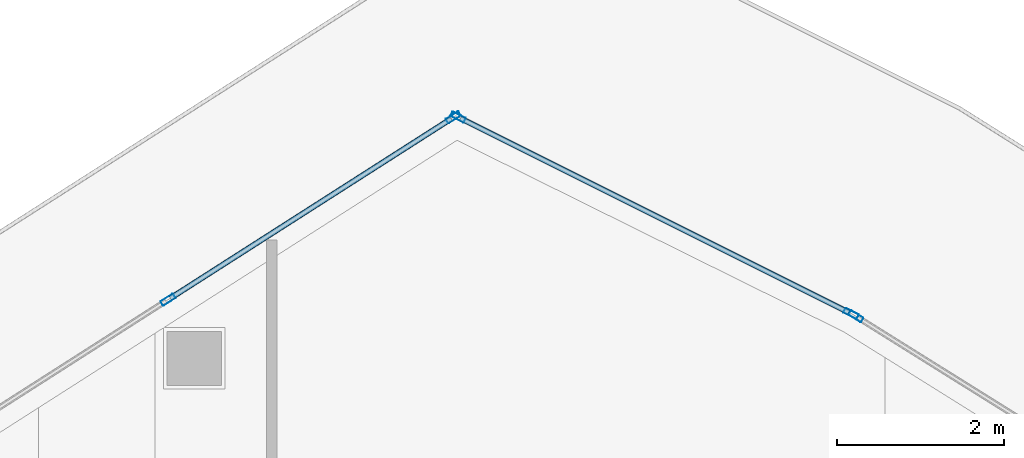
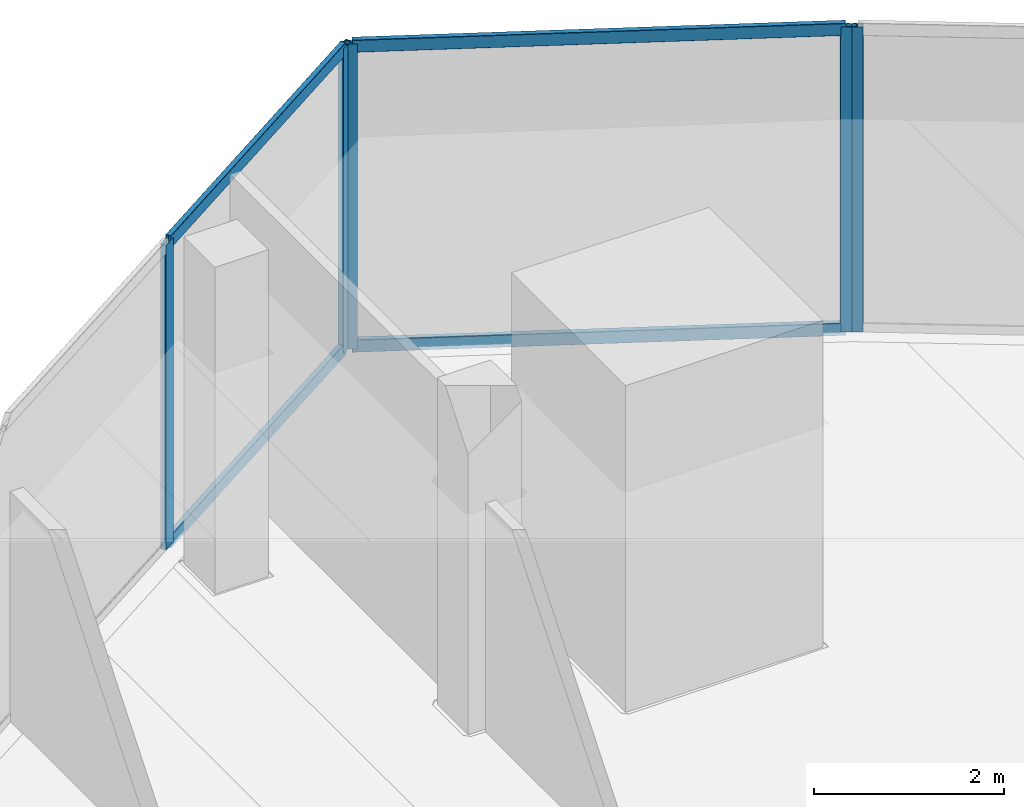
# One storey, part 27 of 44: 9 members, 3 elements without a shape of their own.
"""IFC4 building model written with IfcOpenShell, lengths in metres."""

from ifc_helpers import new_model, si_unit, direction, frame, origin, origin_2d, place, context, subcontext, project, spatial, hollow_rectangle, extrude, material, layer, layer_set, material_profile, profile_set, type_object, element, aggregate, save


model = new_model("IFC4")

# Units and contexts
model_context = context("Model", 3, precision=1e-05, world=origin(), true_north=direction((0.0, 1.0)))
body_context = subcontext(model_context, "Body", "Model", "MODEL_VIEW")
ifc_project = project(units=[si_unit("LENGTHUNIT", "METRE"), si_unit("AREAUNIT", "SQUARE_METRE"), si_unit("VOLUMEUNIT", "CUBIC_METRE"), si_unit("PLANEANGLEUNIT", "RADIAN"), si_unit("MASSUNIT", "GRAM", prefix="KILO")], contexts=[model_context])

# Site, building, storey
site_placement = place(None, origin())
site = spatial("IfcSite", under=ifc_project, at=site_placement, CompositionType="ELEMENT")
building_placement = place(site_placement, origin())
building = spatial("IfcBuilding", under=site, at=building_placement, Name="Qorvath Tower", CompositionType="ELEMENT")
storey_placement = place(building_placement, frame((0.0, 0.0, 53.39990234375)))
storey = spatial("IfcBuildingStorey", under=building, at=storey_placement, Name="L11", CompositionType="ELEMENT", Elevation=53.39990234375)

# Curtain wall, member
ifc_material_1 = material(Name="Anodised aluminium and triple low-E glass", Category="aluminium")
ifc_layer = layer(ifc_material_1, 0.179931640625)
ifc_layer_set = layer_set([ifc_layer], Name="CW-SYS-2")
curtain_wall_type = type_object("IfcCurtainWallType", Name="CW-SYS-2", PredefinedType="NOTDEFINED", material=ifc_layer_set)
curtain_wall_1_placement = place(storey_placement, origin())
curtain_wall_1 = element("IfcCurtainWall", 1, at=curtain_wall_1_placement, inside=storey, type_object=curtain_wall_type, Name="Curtain Wall CW-2 CW-T-L11-14.1", PredefinedType="NOTDEFINED")
ifc_material_2 = material(Name="Anodised aluminium 6063-T6", Category="aluminium")
ifc_material_profile_1 = material_profile(ifc_material_2, hollow_rectangle(XDim=0.06494140625, YDim=0.179931640625, WallThickness=0.00341796875, InnerFilletRadius=0.00341796875, OuterFilletRadius=0.007080078125, at=origin_2d()), Name="CWM 180x65")
ifc_profile_set_1 = profile_set([ifc_material_profile_1], Name="Anodised aluminium 6063-T6")
member_type_1 = type_object("IfcMemberType", Name="CWM-180", PredefinedType="MULLION", material=ifc_profile_set_1)
member_1_placement = place(storey_placement, frame((-10.06396484375, 31.00439453125, 0.0), z_axis=(0.0, 0.0, 1.0), x_axis=(-0.529724040691, -0.848170054125, 0.0)))
member_1 = element("IfcMember", 2, at=member_1_placement, type_object=member_type_1, Name="CW-2 mullion 3", PredefinedType="MULLION", context=body_context, shape_type="SweptSolid", body=[
    extrude(hollow_rectangle(XDim=0.06494140625, YDim=0.179931640625, WallThickness=0.00341796875, InnerFilletRadius=0.00341796875, OuterFilletRadius=0.007080078125, at=origin_2d()), origin(), (0.0, 0.0, 1.0), 3.920166015625),
])
aggregate(curtain_wall_1, [member_1])

# Curtain wall, members
curtain_wall_2_placement = place(storey_placement, origin())
curtain_wall_2 = element("IfcCurtainWall", 3, at=curtain_wall_2_placement, inside=storey, type_object=curtain_wall_type, Name="Curtain Wall CW-2 CW-T-L11-15.1", PredefinedType="NOTDEFINED")
member_2_placement = place(storey_placement, frame((-10.12060546875, 31.0361328125, 0.0), z_axis=(0.0, 0.0, 1.0), x_axis=(-0.447258573792, -0.89440470044, 0.0)))
member_2 = element("IfcMember", 4, at=member_2_placement, type_object=member_type_1, Name="CW-2 mullion 1", PredefinedType="MULLION", context=body_context, shape_type="SweptSolid", body=[
    extrude(hollow_rectangle(XDim=0.06494140625, YDim=0.179931640625, WallThickness=0.00341796875, InnerFilletRadius=0.00341796875, OuterFilletRadius=0.007080078125, at=origin_2d()), origin(), (0.0, 0.0, 1.0), 3.920166015625),
])
member_3_placement = place(storey_placement, frame((-14.8349609375, 33.3935546875, 0.0), z_axis=(0.0, 0.0, 1.0), x_axis=(-0.447258573792, -0.89440470044, 0.0)))
member_3 = element("IfcMember", 5, at=member_3_placement, type_object=member_type_1, Name="CW-2 mullion 2", PredefinedType="MULLION", context=body_context, shape_type="SweptSolid", body=[
    extrude(hollow_rectangle(XDim=0.06494140625, YDim=0.179931640625, WallThickness=0.00341796875, InnerFilletRadius=0.00341796875, OuterFilletRadius=0.007080078125, at=origin_2d()), origin(), (0.0, 0.0, 1.0), 3.920166015625),
])

curtain_wall_3_placement = place(storey_placement, origin())
curtain_wall_3 = element("IfcCurtainWall", 6, at=curtain_wall_3_placement, inside=storey, type_object=curtain_wall_type, Name="Curtain Wall CW-2 CW-T-L11-16.1", PredefinedType="NOTDEFINED")
member_4_placement = place(storey_placement, frame((-14.891357421875, 33.390380859375, 0.0), z_axis=(0.0, 0.0, 1.0), x_axis=(0.538532896531, -0.842604485719, 0.0)))
member_4 = element("IfcMember", 7, at=member_4_placement, type_object=member_type_1, Name="CW-2 mullion 1", PredefinedType="MULLION", context=body_context, shape_type="SweptSolid", body=[
    extrude(hollow_rectangle(XDim=0.06494140625, YDim=0.179931640625, WallThickness=0.00341796875, InnerFilletRadius=0.00341796875, OuterFilletRadius=0.007080078125, at=origin_2d()), origin(), (0.0, 0.0, 1.0), 3.920166015625),
])
member_5_placement = place(storey_placement, frame((-18.3125, 31.203857421875, 0.0), z_axis=(0.0, 0.0, 1.0), x_axis=(0.538532896531, -0.842604485719, 0.0)))
member_5 = element("IfcMember", 8, at=member_5_placement, type_object=member_type_1, Name="CW-2 mullion 2", PredefinedType="MULLION", context=body_context, shape_type="SweptSolid", body=[
    extrude(hollow_rectangle(XDim=0.06494140625, YDim=0.179931640625, WallThickness=0.00341796875, InnerFilletRadius=0.00341796875, OuterFilletRadius=0.007080078125, at=origin_2d()), origin(), (0.0, 0.0, 1.0), 3.920166015625),
])

# Member
ifc_material_3 = material(Name="Anodised aluminium 6063-T6", Category="aluminium")
ifc_material_profile_2 = material_profile(ifc_material_3, hollow_rectangle(XDim=0.06494140625, YDim=0.159912109375, WallThickness=0.00341796875, InnerFilletRadius=0.00341796875, OuterFilletRadius=0.007080078125, at=origin_2d()), Name="CWT 160x65")
ifc_profile_set_2 = profile_set([ifc_material_profile_2], Name="Anodised aluminium 6063-T6")
member_type_2 = type_object("IfcMemberType", Name="CWT-160", PredefinedType="USERDEFINED", material=ifc_profile_set_2)
member_6_placement = place(storey_placement, frame((-10.149658203125, 31.050537109375, 0.032470703125), z_axis=(-0.894408431647, 0.447251112239, 0.0), x_axis=(-0.447251112239, -0.894408431647, 0.0)))
member_6 = element("IfcMember", 9, at=member_6_placement, type_object=member_type_2, Name="CW-2 transom 1.1", ObjectType="TRANSOM", PredefinedType="USERDEFINED", context=body_context, shape_type="SweptSolid", body=[
    extrude(hollow_rectangle(XDim=0.06494140625, YDim=0.159912109375, WallThickness=0.00341796875, InnerFilletRadius=0.00341796875, OuterFilletRadius=0.007080078125, at=origin_2d()), origin(), (0.0, 0.0, 1.0), 5.2060546875),
])

member_7_placement = place(storey_placement, frame((-10.149658203125, 31.050537109375, 3.8876953125), z_axis=(-0.894408431647, 0.447251112239, 0.0), x_axis=(-0.447251112239, -0.894408431647, 0.0)))
member_7 = element("IfcMember", 10, at=member_7_placement, type_object=member_type_2, Name="CW-2 transom 1.2", ObjectType="TRANSOM", PredefinedType="USERDEFINED", context=body_context, shape_type="SweptSolid", body=[
    extrude(hollow_rectangle(XDim=0.06494140625, YDim=0.159912109375, WallThickness=0.00341796875, InnerFilletRadius=0.00341796875, OuterFilletRadius=0.007080078125, at=origin_2d()), origin(), (0.0, 0.0, 1.0), 5.2060546875),
])

aggregate(curtain_wall_2, [member_2, member_3, member_6, member_7])

member_8_placement = place(storey_placement, frame((-14.918701171875, 33.373046875, 0.032470703125), z_axis=(-0.842603063351, -0.538535122004, 0.0), x_axis=(0.538535122004, -0.842603063351, 0.0)))
member_8 = element("IfcMember", 11, at=member_8_placement, type_object=member_type_2, Name="CW-2 transom 1.1", ObjectType="TRANSOM", PredefinedType="USERDEFINED", context=body_context, shape_type="SweptSolid", body=[
    extrude(hollow_rectangle(XDim=0.06494140625, YDim=0.159912109375, WallThickness=0.00341796875, InnerFilletRadius=0.00341796875, OuterFilletRadius=0.007080078125, at=origin_2d()), origin(), (0.0, 0.0, 1.0), 3.995361328125),
])

member_9_placement = place(storey_placement, frame((-14.918701171875, 33.373046875, 3.8876953125), z_axis=(-0.842603063351, -0.538535122004, 0.0), x_axis=(0.538535122004, -0.842603063351, 0.0)))
member_9 = element("IfcMember", 12, at=member_9_placement, type_object=member_type_2, Name="CW-2 transom 1.2", ObjectType="TRANSOM", PredefinedType="USERDEFINED", context=body_context, shape_type="SweptSolid", body=[
    extrude(hollow_rectangle(XDim=0.06494140625, YDim=0.159912109375, WallThickness=0.00341796875, InnerFilletRadius=0.00341796875, OuterFilletRadius=0.007080078125, at=origin_2d()), origin(), (0.0, 0.0, 1.0), 3.995361328125),
])

aggregate(curtain_wall_3, [member_4, member_5, member_8, member_9])

save(model, "model.ifc")
